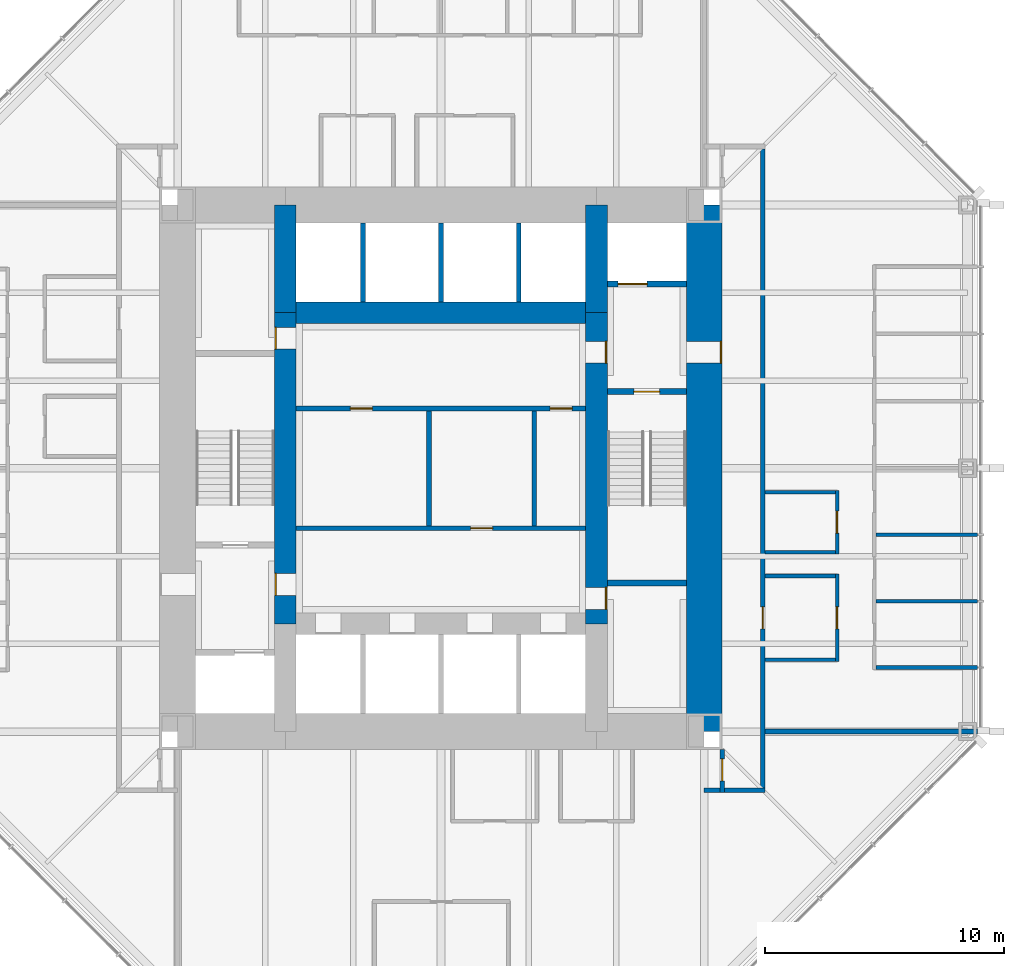
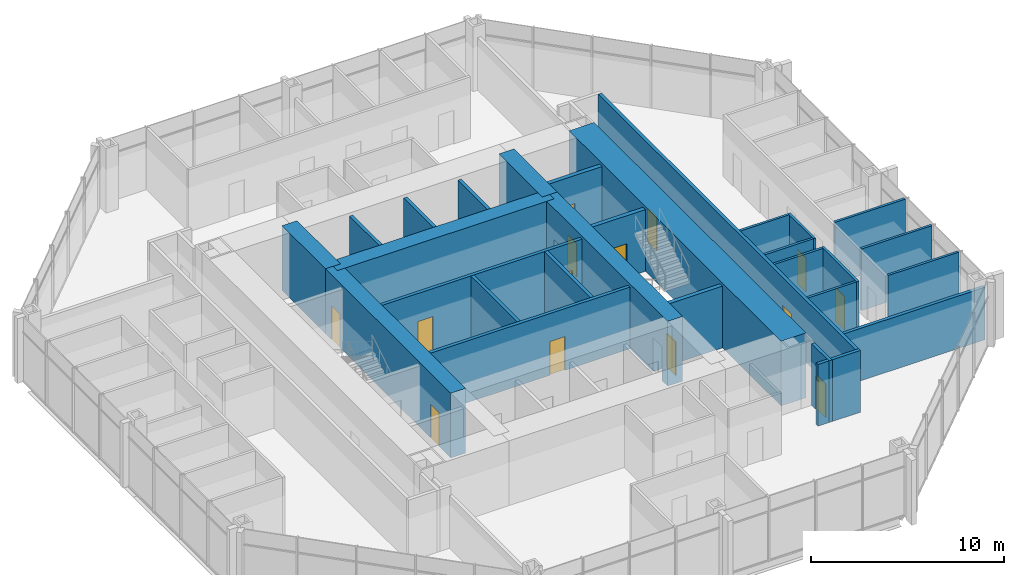
# One storey, part 10 of 14: 29 walls, 14 doors, 14 openings.
"""IFC4 building model written with IfcOpenShell, lengths in metres."""

from ifc_helpers import new_model, si_unit, direction, frame, frame_2d, origin, place, context, subcontext, project, spatial, rectangle, extrude, material, layer, layer_set, type_object, element, fill, save


model = new_model("IFC4")

# Units and contexts
model_context = context("Model", 3, precision=1e-05, world=origin(), true_north=direction((0.0, 1.0)))
body_context = subcontext(model_context, "Body", "Model", "MODEL_VIEW")
ifc_project = project(units=[si_unit("LENGTHUNIT", "METRE"), si_unit("AREAUNIT", "SQUARE_METRE"), si_unit("VOLUMEUNIT", "CUBIC_METRE"), si_unit("PLANEANGLEUNIT", "RADIAN"), si_unit("MASSUNIT", "GRAM", prefix="KILO")], contexts=[model_context])

# Site, building, storey
site_placement = place(None, origin())
site = spatial("IfcSite", under=ifc_project, at=site_placement, CompositionType="ELEMENT")
building_placement = place(site_placement, origin())
building = spatial("IfcBuilding", under=site, at=building_placement, Name="Trevanion Tower", CompositionType="ELEMENT")
storey_placement = place(building_placement, frame((0.0, 0.0, 104.89990234375)))
storey = spatial("IfcBuildingStorey", under=building, at=storey_placement, Name="L24", CompositionType="ELEMENT", Elevation=104.89990234375)

# Wall, opening, door
ifc_material_1 = material(Name="Concrete 10,000 psi", Category="concrete")
ifc_layer_1 = layer(ifc_material_1, 1.5)
ifc_layer_set_1 = layer_set([ifc_layer_1], Name="CW1 core wall 1500")
wall_type_1 = type_object("IfcWallType", Name="CW1 core wall 1500", PredefinedType="SHEAR", material=ifc_layer_set_1)
wall_1_placement = place(storey_placement, frame((11.0, -11.0, 0.0), z_axis=(0.0, 0.0, 1.0), x_axis=(0.0, 1.0, 0.0)))
wall_1 = element("IfcWall", 1, at=wall_1_placement, inside=storey, type_object=wall_type_1, Name="CW1 CE L24", PredefinedType="SHEAR", context=body_context, shape_type="SweptSolid", body=[
    extrude(rectangle(XDim=22.0, YDim=1.5, at=frame_2d((11.0, 0.0))), origin(), (0.0, 0.0, 1.0), 4.10009765625),
])
opening_1_placement = place(wall_1_placement, frame((15.392578125, 0.0, 0.0)))
opening_1 = element("IfcOpeningElement", 2, at=opening_1_placement, cuts=wall_1, Name="Opening 24-001", PredefinedType="OPENING", context=body_context, shape_type="SweptSolid", body=[
    extrude(rectangle(XDim=0.9150390625, YDim=2.134033203125, at=frame_2d((0.45751953125, 1.06689453125))), frame((0.0, 0.760009765625, 0.0), z_axis=(0.0, -1.0, 0.0), x_axis=(1.0, 0.0, 0.0)), (0.0, 0.0, 1.0), 1.52001953125),
])
ifc_material_2 = material(Name="Hollow metal, fire rated", Category="steel")
door_type_1 = type_object("IfcDoorType", Name="D3 fire lift lobby door", OperationType="SINGLE_SWING_RIGHT", PredefinedType="DOOR", material=ifc_material_2)
door_1_placement = place(opening_1_placement, origin())
door_1 = element("IfcDoor", 3, at=door_1_placement, inside=storey, type_object=door_type_1, Name="Door 24-001", OperationType="SINGLE_SWING_RIGHT", OverallHeight=2.134033203125, OverallWidth=0.9150390625, PredefinedType="DOOR", context=body_context, shape_type="SweptSolid", body=[
    extrude(rectangle(XDim=0.9150390625, YDim=2.134033203125, at=frame_2d((0.45751953125, 1.06689453125))), frame((0.0, -0.6748046875, 0.0), z_axis=(0.0, -1.0, 0.0), x_axis=(1.0, 0.0, 0.0)), (0.0, 0.0, 1.0), 0.050048828125),
])
fill(opening_1, door_1)

# Wall, openings, doors
ifc_material_3 = material(Name="Concrete 10,000 psi", Category="concrete")
ifc_layer_2 = layer(ifc_material_3, 0.89990234375)
ifc_layer_set_2 = layer_set([ifc_layer_2], Name="CW2 core wall 900")
wall_type_2 = type_object("IfcWallType", Name="CW2 core wall 900", PredefinedType="SHEAR", material=ifc_layer_set_2)
wall_2_placement = place(storey_placement, frame((6.5, -6.5, 0.0), z_axis=(0.0, 0.0, 1.0), x_axis=(0.0, 1.0, 0.0)))
wall_2 = element("IfcWall", 4, at=wall_2_placement, inside=storey, type_object=wall_type_2, Name="CW2 RE2 L24", PredefinedType="SHEAR", context=body_context, shape_type="SweptSolid", body=[
    extrude(rectangle(XDim=13.0, YDim=0.89990234375, at=frame_2d((6.5, 0.0))), origin(), (0.0, 0.0, 1.0), 4.10009765625),
])
opening_2_placement = place(wall_2_placement, frame((10.892578125, 0.0, 0.0)))
opening_2 = element("IfcOpeningElement", 5, at=opening_2_placement, cuts=wall_2, Name="Opening 24-003", PredefinedType="OPENING", context=body_context, shape_type="SweptSolid", body=[
    extrude(rectangle(XDim=0.9150390625, YDim=2.134033203125, at=frame_2d((0.45751953125, 1.06689453125))), frame((0.0, 0.4599609375, 0.0), z_axis=(0.0, -1.0, 0.0), x_axis=(1.0, 0.0, 0.0)), (0.0, 0.0, 1.0), 0.919921875),
])
opening_3_placement = place(wall_2_placement, frame((0.610107421875, 0.0, 0.0)))
opening_3 = element("IfcOpeningElement", 6, at=opening_3_placement, cuts=wall_2, Name="Opening 24-009", PredefinedType="OPENING", context=body_context, shape_type="SweptSolid", body=[
    extrude(rectangle(XDim=0.9150390625, YDim=2.134033203125, at=frame_2d((0.45751953125, 1.06689453125))), frame((0.0, 0.4599609375, 0.0), z_axis=(0.0, -1.0, 0.0), x_axis=(1.0, 0.0, 0.0)), (0.0, 0.0, 1.0), 0.919921875),
])
door_2_placement = place(opening_2_placement, origin())
door_2 = element("IfcDoor", 7, at=door_2_placement, inside=storey, type_object=door_type_1, Name="Door 24-003", OperationType="SINGLE_SWING_RIGHT", OverallHeight=2.134033203125, OverallWidth=0.9150390625, PredefinedType="DOOR", context=body_context, shape_type="SweptSolid", body=[
    extrude(rectangle(XDim=0.9150390625, YDim=2.134033203125, at=frame_2d((0.45751953125, 1.06689453125))), frame((0.0, -0.375, 0.0), z_axis=(0.0, -1.0, 0.0), x_axis=(1.0, 0.0, 0.0)), (0.0, 0.0, 1.0), 0.050048828125),
])
fill(opening_2, door_2)
ifc_material_4 = material(Name="Hollow metal, fire rated", Category="steel")
door_type_2 = type_object("IfcDoorType", Name="D5 service room door", OperationType="SINGLE_SWING_RIGHT", PredefinedType="DOOR", material=ifc_material_4)
door_3_placement = place(opening_3_placement, origin())
door_3 = element("IfcDoor", 8, at=door_3_placement, inside=storey, type_object=door_type_2, Name="Door 24-009", OperationType="SINGLE_SWING_RIGHT", OverallHeight=2.134033203125, OverallWidth=0.9150390625, PredefinedType="DOOR", context=body_context, shape_type="SweptSolid", body=[
    extrude(rectangle(XDim=0.9150390625, YDim=2.134033203125, at=frame_2d((0.45751953125, 1.06689453125))), frame((0.0, -0.375, 0.0), z_axis=(0.0, -1.0, 0.0), x_axis=(1.0, 0.0, 0.0)), (0.0, 0.0, 1.0), 0.050048828125),
])
fill(opening_3, door_3)

# Walls
for number, where, z_axis, x_axis, name in (
    (9, (6.5, 6.5, 0.0), (0.0, 0.0, 1.0), (0.0, 1.0, 0.0), "CW2 RE3 L24"),
    (10, (-6.5, 11.0, 0.0), (0.0, 0.0, 1.0), (0.0, -1.0, 0.0), "CW2 RW1 L24"),
):
    element("IfcWall", number, at=place(storey_placement, frame(where, z_axis=z_axis, x_axis=x_axis)), inside=storey, type_object=wall_type_2, Name=name, PredefinedType="SHEAR", context=body_context, shape_type="SweptSolid", body=[
        extrude(rectangle(XDim=4.5, YDim=0.89990234375, at=frame_2d((2.25, 0.0))), origin(), (0.0, 0.0, 1.0), 4.10009765625),
    ])

# Wall, openings, doors
wall_3_placement = place(storey_placement, frame((-6.5, 6.5, 0.0), z_axis=(0.0, 0.0, 1.0), x_axis=(0.0, -1.0, 0.0)))
wall_3 = element("IfcWall", 11, at=wall_3_placement, inside=storey, type_object=wall_type_2, Name="CW2 RW2 L24", PredefinedType="SHEAR", context=body_context, shape_type="SweptSolid", body=[
    extrude(rectangle(XDim=13.0, YDim=0.89990234375, at=frame_2d((6.5, 0.0))), origin(), (0.0, 0.0, 1.0), 4.10009765625),
])
opening_4_placement = place(wall_3_placement, frame((10.892578125, 0.0, 0.0)))
opening_4 = element("IfcOpeningElement", 12, at=opening_4_placement, cuts=wall_3, Name="Opening 24-004", PredefinedType="OPENING", context=body_context, shape_type="SweptSolid", body=[
    extrude(rectangle(XDim=0.9150390625, YDim=2.134033203125, at=frame_2d((0.45751953125, 1.06689453125))), frame((0.0, 0.4599609375, 0.0), z_axis=(0.0, -1.0, 0.0), x_axis=(1.0, 0.0, 0.0)), (0.0, 0.0, 1.0), 0.919921875),
])
opening_5_placement = place(wall_3_placement, frame((0.610107421875, 0.0, 0.0)))
opening_5 = element("IfcOpeningElement", 13, at=opening_5_placement, cuts=wall_3, Name="Opening 24-010", PredefinedType="OPENING", context=body_context, shape_type="SweptSolid", body=[
    extrude(rectangle(XDim=0.9150390625, YDim=2.134033203125, at=frame_2d((0.45751953125, 1.06689453125))), frame((0.0, 0.4599609375, 0.0), z_axis=(0.0, -1.0, 0.0), x_axis=(1.0, 0.0, 0.0)), (0.0, 0.0, 1.0), 0.919921875),
])
door_4_placement = place(opening_4_placement, origin())
door_4 = element("IfcDoor", 14, at=door_4_placement, inside=storey, type_object=door_type_1, Name="Door 24-004", OperationType="SINGLE_SWING_RIGHT", OverallHeight=2.134033203125, OverallWidth=0.9150390625, PredefinedType="DOOR", context=body_context, shape_type="SweptSolid", body=[
    extrude(rectangle(XDim=0.9150390625, YDim=2.134033203125, at=frame_2d((0.45751953125, 1.06689453125))), frame((0.0, -0.375, 0.0), z_axis=(0.0, -1.0, 0.0), x_axis=(1.0, 0.0, 0.0)), (0.0, 0.0, 1.0), 0.050048828125),
])
fill(opening_4, door_4)
door_5_placement = place(opening_5_placement, origin())
door_5 = element("IfcDoor", 15, at=door_5_placement, inside=storey, type_object=door_type_2, Name="Door 24-010", OperationType="SINGLE_SWING_RIGHT", OverallHeight=2.134033203125, OverallWidth=0.9150390625, PredefinedType="DOOR", context=body_context, shape_type="SweptSolid", body=[
    extrude(rectangle(XDim=0.9150390625, YDim=2.134033203125, at=frame_2d((0.45751953125, 1.06689453125))), frame((0.0, -0.375, 0.0), z_axis=(0.0, -1.0, 0.0), x_axis=(1.0, 0.0, 0.0)), (0.0, 0.0, 1.0), 0.050048828125),
])
fill(opening_5, door_5)

# Walls
wall_4_placement = place(storey_placement, frame((6.5, 6.5, 0.0), z_axis=(0.0, 0.0, 1.0), x_axis=(-1.0, 0.0, 0.0)))
element("IfcWall", 16, at=wall_4_placement, inside=storey, type_object=wall_type_2, Name="CW2 RN L24", PredefinedType="SHEAR", context=body_context, shape_type="SweptSolid", body=[
    extrude(rectangle(XDim=13.0, YDim=0.89990234375, at=frame_2d((6.5, 0.0))), origin(), (0.0, 0.0, 1.0), 4.10009765625),
])
ifc_material_5 = material(Name="Gypsum board on steel studs", Category="steel")
ifc_layer_3 = layer(ifc_material_5, 0.14990234375)
ifc_layer_set_3 = layer_set([ifc_layer_3], Name="PT1 partition 150")
wall_type_3 = type_object("IfcWallType", Name="PT1 partition 150", PredefinedType="PARTITIONING", material=ifc_layer_set_3)
for number, where, z_axis, x_axis, name in (
    (17, (18.175048828125, -8.322998046875, 0.0), (0.0, 0.0, 1.0), (1.0, 0.0, 0.0), "PT1 L24 FC0S0"),
    (18, (18.175048828125, -5.549072265625, 0.0), (0.0, 0.0, 1.0), (1.0, 0.0, 0.0), "PT1 L24 FC0S1"),
    (19, (18.175048828125, -2.77490234375, 0.0), (0.0, 0.0, 1.0), (1.0, 0.0, 0.0), "PT1 L24 FC0S2"),
):
    element("IfcWall", number, at=place(storey_placement, frame(where, z_axis=z_axis, x_axis=x_axis)), inside=storey, type_object=wall_type_3, Name=name, PredefinedType="PARTITIONING", context=body_context, shape_type="SweptSolid", body=[
        extrude(rectangle(XDim=4.239990234375, YDim=0.14990234375, at=frame_2d((2.1201171875, 0.0))), origin(), (0.0, 0.0, 1.0), 3.91015625),
    ])

# Wall, opening, door
wall_5_placement = place(storey_placement, frame((16.550048828125, -8.074951171875, 0.0), z_axis=(0.0, 0.0, 1.0), x_axis=(0.0, 1.0, 0.0)))
wall_5 = element("IfcWall", 20, at=wall_5_placement, inside=storey, type_object=wall_type_3, Name="PT1 L24 IN00F", PredefinedType="PARTITIONING", context=body_context, shape_type="SweptSolid", body=[
    extrude(rectangle(XDim=3.64990234375, YDim=0.14990234375, at=frame_2d((1.824951171875, 0.0))), origin(), (0.0, 0.0, 1.0), 3.91015625),
])
opening_6_placement = place(wall_5_placement, frame((1.367431640625, 0.0, 0.0)))
opening_6 = element("IfcOpeningElement", 21, at=opening_6_placement, cuts=wall_5, Name="Opening 24-040", PredefinedType="OPENING", context=body_context, shape_type="SweptSolid", body=[
    extrude(rectangle(XDim=0.9150390625, YDim=2.134033203125, at=frame_2d((0.45751953125, 1.06689453125))), frame((0.0, 0.0849609375, 0.0), z_axis=(0.0, -1.0, 0.0), x_axis=(1.0, 0.0, 0.0)), (0.0, 0.0, 1.0), 0.169921875),
])
ifc_material_6 = material(Name="Timber veneer, solid core", Category="wood")
door_type_3 = type_object("IfcDoorType", Name="D1 office and meeting room door", OperationType="SINGLE_SWING_LEFT", PredefinedType="DOOR", material=ifc_material_6)
door_6_placement = place(opening_6_placement, origin())
door_6 = element("IfcDoor", 22, at=door_6_placement, inside=storey, type_object=door_type_3, Name="Door 24-040", OperationType="SINGLE_SWING_LEFT", OverallHeight=2.134033203125, OverallWidth=0.9150390625, PredefinedType="DOOR", context=body_context, shape_type="SweptSolid", body=[
    extrude(rectangle(XDim=0.9150390625, YDim=2.134033203125, at=frame_2d((0.45751953125, 1.06689453125))), frame((0.0, 0.02490234375, 0.0), z_axis=(0.0, -1.0, 0.0), x_axis=(1.0, 0.0, 0.0)), (0.0, 0.0, 1.0), 0.050048828125),
])
fill(opening_6, door_6)

# Walls
for number, where, z_axis, x_axis, name in (
    (23, (16.47509765625, -8.0, 0.0), (0.0, 0.0, 1.0), (-1.0, 0.0, 0.0), "PT1 L24 IN00S0"),
    (24, (16.47509765625, -4.5, 0.0), (0.0, 0.0, 1.0), (-1.0, 0.0, 0.0), "PT1 L24 IN00S1"),
):
    element("IfcWall", number, at=place(storey_placement, frame(where, z_axis=z_axis, x_axis=x_axis)), inside=storey, type_object=wall_type_3, Name=name, PredefinedType="PARTITIONING", context=body_context, shape_type="SweptSolid", body=[
        extrude(rectangle(XDim=2.925048828125, YDim=0.14990234375, at=frame_2d((1.46240234375, 0.0))), origin(), (0.0, 0.0, 1.0), 3.91015625),
    ])

# Wall, opening, door
wall_6_placement = place(storey_placement, frame((16.550048828125, -3.574951171875, 0.0), z_axis=(0.0, 0.0, 1.0), x_axis=(0.0, 1.0, 0.0)))
wall_6 = element("IfcWall", 25, at=wall_6_placement, inside=storey, type_object=wall_type_3, Name="PT1 L24 IN01F", PredefinedType="PARTITIONING", context=body_context, shape_type="SweptSolid", body=[
    extrude(rectangle(XDim=2.64990234375, YDim=0.14990234375, at=frame_2d((1.324951171875, 0.0))), origin(), (0.0, 0.0, 1.0), 3.91015625),
])
opening_7_placement = place(wall_6_placement, frame((0.867431640625, 0.0, 0.0)))
opening_7 = element("IfcOpeningElement", 26, at=opening_7_placement, cuts=wall_6, Name="Opening 24-042", PredefinedType="OPENING", context=body_context, shape_type="SweptSolid", body=[
    extrude(rectangle(XDim=0.9150390625, YDim=2.134033203125, at=frame_2d((0.45751953125, 1.06689453125))), frame((0.0, 0.0849609375, 0.0), z_axis=(0.0, -1.0, 0.0), x_axis=(1.0, 0.0, 0.0)), (0.0, 0.0, 1.0), 0.169921875),
])
door_7_placement = place(opening_7_placement, origin())
door_7 = element("IfcDoor", 27, at=door_7_placement, inside=storey, type_object=door_type_3, Name="Door 24-042", OperationType="SINGLE_SWING_LEFT", OverallHeight=2.134033203125, OverallWidth=0.9150390625, PredefinedType="DOOR", context=body_context, shape_type="SweptSolid", body=[
    extrude(rectangle(XDim=0.9150390625, YDim=2.134033203125, at=frame_2d((0.45751953125, 1.06689453125))), frame((0.0, 0.02490234375, 0.0), z_axis=(0.0, -1.0, 0.0), x_axis=(1.0, 0.0, 0.0)), (0.0, 0.0, 1.0), 0.050048828125),
])
fill(opening_7, door_7)

# Walls
for number, where, z_axis, x_axis, name in (
    (28, (16.47509765625, -3.5, 0.0), (0.0, 0.0, 1.0), (-1.0, 0.0, 0.0), "PT1 L24 IN01S0"),
    (29, (16.47509765625, -1.0, 0.0), (0.0, 0.0, 1.0), (-1.0, 0.0, 0.0), "PT1 L24 IN01S1"),
):
    element("IfcWall", number, at=place(storey_placement, frame(where, z_axis=z_axis, x_axis=x_axis)), inside=storey, type_object=wall_type_3, Name=name, PredefinedType="PARTITIONING", context=body_context, shape_type="SweptSolid", body=[
        extrude(rectangle(XDim=2.925048828125, YDim=0.14990234375, at=frame_2d((1.46240234375, 0.0))), origin(), (0.0, 0.0, 1.0), 3.91015625),
    ])
ifc_material_7 = material(Name="Concrete masonry, grouted", Category="masonry")
ifc_layer_4 = layer(ifc_material_7, 0.199951171875)
ifc_layer_set_4 = layer_set([ifc_layer_4], Name="PT2 partition 200")
wall_type_4 = type_object("IfcWallType", Name="PT2 partition 200", PredefinedType="PARTITIONING", material=ifc_layer_set_4)
for number, where, z_axis, x_axis, name in (
    (30, (-0.5, -2.39990234375, 0.0), (0.0, 0.0, 1.0), (0.0, 1.0, 0.0), "PT2 L24 TP1"),
    (31, (3.89990234375, -2.39990234375, 0.0), (0.0, 0.0, 1.0), (0.0, 1.0, 0.0), "PT2 L24 TP2"),
):
    element("IfcWall", number, at=place(storey_placement, frame(where, z_axis=z_axis, x_axis=x_axis)), inside=storey, type_object=wall_type_4, Name=name, PredefinedType="PARTITIONING", context=body_context, shape_type="SweptSolid", body=[
        extrude(rectangle(XDim=4.7998046875, YDim=0.199951171875, at=frame_2d((2.39990234375, 0.0))), origin(), (0.0, 0.0, 1.0), 3.91015625),
    ])

# Wall, openings, doors
ifc_material_8 = material(Name="Concrete masonry, grouted", Category="masonry")
ifc_layer_5 = layer(ifc_material_8, 0.199951171875)
ifc_layer_set_5 = layer_set([ifc_layer_5], Name="PT2 partition 200 1 HR")
wall_type_5 = type_object("IfcWallType", Name="PT2 partition 200 1 HR", PredefinedType="PARTITIONING", material=ifc_layer_set_5)
wall_7_placement = place(storey_placement, frame((-6.050048828125, 2.5, 0.0), z_axis=(0.0, 0.0, 1.0), x_axis=(1.0, 0.0, 0.0)))
wall_7 = element("IfcWall", 32, at=wall_7_placement, inside=storey, type_object=wall_type_5, Name="PT2 L24 CP1", PredefinedType="PARTITIONING", context=body_context, shape_type="SweptSolid", body=[
    extrude(rectangle(XDim=12.10009765625, YDim=0.199951171875, at=frame_2d((6.050048828125, 0.0))), origin(), (0.0, 0.0, 1.0), 3.91015625),
])
opening_8_placement = place(wall_7_placement, frame((2.267578125, 0.0, 0.0)))
opening_8 = element("IfcOpeningElement", 33, at=opening_8_placement, cuts=wall_7, Name="Opening 24-015", PredefinedType="OPENING", context=body_context, shape_type="SweptSolid", body=[
    extrude(rectangle(XDim=0.9150390625, YDim=2.134033203125, at=frame_2d((0.45751953125, 1.06689453125))), frame((0.0, 0.10986328125, 0.0), z_axis=(0.0, -1.0, 0.0), x_axis=(1.0, 0.0, 0.0)), (0.0, 0.0, 1.0), 0.219970703125),
])
opening_9_placement = place(wall_7_placement, frame((10.617431640625, 0.0, 0.0)))
opening_9 = element("IfcOpeningElement", 34, at=opening_9_placement, cuts=wall_7, Name="Opening 24-017", PredefinedType="OPENING", context=body_context, shape_type="SweptSolid", body=[
    extrude(rectangle(XDim=0.9150390625, YDim=2.134033203125, at=frame_2d((0.45751953125, 1.06689453125))), frame((0.0, 0.10986328125, 0.0), z_axis=(0.0, -1.0, 0.0), x_axis=(1.0, 0.0, 0.0)), (0.0, 0.0, 1.0), 0.219970703125),
])
ifc_material_9 = material(Name="Plastic laminate on fire-rated core", Category="wood")
door_type_4 = type_object("IfcDoorType", Name="D12 toilet door in a one hour wall", OperationType="SINGLE_SWING_LEFT", PredefinedType="DOOR", material=ifc_material_9)
door_8_placement = place(opening_8_placement, origin())
door_8 = element("IfcDoor", 35, at=door_8_placement, inside=storey, type_object=door_type_4, Name="Door 24-015", OperationType="SINGLE_SWING_LEFT", OverallHeight=2.134033203125, OverallWidth=0.9150390625, PredefinedType="DOOR", context=body_context, shape_type="SweptSolid", body=[
    extrude(rectangle(XDim=0.9150390625, YDim=2.134033203125, at=frame_2d((0.45751953125, 1.06689453125))), frame((0.0, 0.02490234375, 0.0), z_axis=(0.0, -1.0, 0.0), x_axis=(1.0, 0.0, 0.0)), (0.0, 0.0, 1.0), 0.050048828125),
])
fill(opening_8, door_8)
door_9_placement = place(opening_9_placement, origin())
door_9 = element("IfcDoor", 36, at=door_9_placement, inside=storey, type_object=door_type_4, Name="Door 24-017", OperationType="SINGLE_SWING_LEFT", OverallHeight=2.134033203125, OverallWidth=0.9150390625, PredefinedType="DOOR", context=body_context, shape_type="SweptSolid", body=[
    extrude(rectangle(XDim=0.9150390625, YDim=2.134033203125, at=frame_2d((0.45751953125, 1.06689453125))), frame((0.0, 0.02490234375, 0.0), z_axis=(0.0, -1.0, 0.0), x_axis=(1.0, 0.0, 0.0)), (0.0, 0.0, 1.0), 0.050048828125),
])
fill(opening_9, door_9)

# Wall, opening, door
wall_8_placement = place(storey_placement, frame((6.050048828125, -2.5, 0.0), z_axis=(0.0, 0.0, 1.0), x_axis=(-1.0, 0.0, 0.0)))
wall_8 = element("IfcWall", 37, at=wall_8_placement, inside=storey, type_object=wall_type_5, Name="PT2 L24 CP2", PredefinedType="PARTITIONING", context=body_context, shape_type="SweptSolid", body=[
    extrude(rectangle(XDim=12.10009765625, YDim=0.199951171875, at=frame_2d((6.050048828125, 0.0))), origin(), (0.0, 0.0, 1.0), 3.91015625),
])
opening_10_placement = place(wall_8_placement, frame((3.892578125, 0.0, 0.0)))
opening_10 = element("IfcOpeningElement", 38, at=opening_10_placement, cuts=wall_8, Name="Opening 24-016", PredefinedType="OPENING", context=body_context, shape_type="SweptSolid", body=[
    extrude(rectangle(XDim=0.9150390625, YDim=2.134033203125, at=frame_2d((0.45751953125, 1.06689453125))), frame((0.0, 0.10986328125, 0.0), z_axis=(0.0, -1.0, 0.0), x_axis=(1.0, 0.0, 0.0)), (0.0, 0.0, 1.0), 0.219970703125),
])
door_10_placement = place(opening_10_placement, origin())
door_10 = element("IfcDoor", 39, at=door_10_placement, inside=storey, type_object=door_type_4, Name="Door 24-016", OperationType="SINGLE_SWING_LEFT", OverallHeight=2.134033203125, OverallWidth=0.9150390625, PredefinedType="DOOR", context=body_context, shape_type="SweptSolid", body=[
    extrude(rectangle(XDim=0.9150390625, YDim=2.134033203125, at=frame_2d((0.45751953125, 1.06689453125))), frame((0.0, 0.02490234375, 0.0), z_axis=(0.0, -1.0, 0.0), x_axis=(1.0, 0.0, 0.0)), (0.0, 0.0, 1.0), 0.050048828125),
])
fill(opening_10, door_10)

wall_9_placement = place(storey_placement, frame((13.449951171875, -13.550048828125, 0.0), z_axis=(0.0, 0.0, 1.0), x_axis=(0.0, 1.0, 0.0)))
wall_9 = element("IfcWall", 40, at=wall_9_placement, inside=storey, type_object=wall_type_5, Name="PT2 L24 OC0", PredefinedType="PARTITIONING", context=body_context, shape_type="SweptSolid", body=[
    extrude(rectangle(XDim=26.900146484375, YDim=0.199951171875, at=frame_2d((13.4501953125, 0.0))), origin(), (0.0, 0.0, 1.0), 3.91015625),
])
opening_11_placement = place(wall_9_placement, frame((6.842529296875, 0.0, 0.0)))
opening_11 = element("IfcOpeningElement", 41, at=opening_11_placement, cuts=wall_9, Name="Opening 24-041", PredefinedType="OPENING", context=body_context, shape_type="SweptSolid", body=[
    extrude(rectangle(XDim=0.9150390625, YDim=2.134033203125, at=frame_2d((0.45751953125, 1.06689453125))), frame((0.0, 0.10986328125, 0.0), z_axis=(0.0, -1.0, 0.0), x_axis=(1.0, 0.0, 0.0)), (0.0, 0.0, 1.0), 0.219970703125),
])
ifc_material_10 = material(Name="Timber veneer, fire rated", Category="wood")
door_type_5 = type_object("IfcDoorType", Name="D10 office door in a one hour wall", OperationType="SINGLE_SWING_LEFT", PredefinedType="DOOR", material=ifc_material_10)
door_11_placement = place(opening_11_placement, origin())
door_11 = element("IfcDoor", 42, at=door_11_placement, inside=storey, type_object=door_type_5, Name="Door 24-041", OperationType="SINGLE_SWING_LEFT", OverallHeight=2.134033203125, OverallWidth=0.9150390625, PredefinedType="DOOR", context=body_context, shape_type="SweptSolid", body=[
    extrude(rectangle(XDim=0.9150390625, YDim=2.134033203125, at=frame_2d((0.45751953125, 1.06689453125))), frame((0.0, 0.02490234375, 0.0), z_axis=(0.0, -1.0, 0.0), x_axis=(1.0, 0.0, 0.0)), (0.0, 0.0, 1.0), 0.050048828125),
])
fill(opening_11, door_11)

wall_10_placement = place(storey_placement, frame((11.75, -11.75, 0.0), z_axis=(0.0, 0.0, 1.0), x_axis=(0.0, -1.0, 0.0)))
wall_10 = element("IfcWall", 43, at=wall_10_placement, inside=storey, type_object=wall_type_5, Name="PT2 L24 OUSE1", PredefinedType="PARTITIONING", context=body_context, shape_type="SweptSolid", body=[
    extrude(rectangle(XDim=1.800048828125, YDim=0.199951171875, at=frame_2d((0.89990234375, 0.0))), origin(), (0.0, 0.0, 1.0), 3.91015625),
])
opening_12_placement = place(wall_10_placement, frame((0.392578125, 0.0, 0.0)))
opening_12 = element("IfcOpeningElement", 44, at=opening_12_placement, cuts=wall_10, Name="Opening 24-020", PredefinedType="OPENING", context=body_context, shape_type="SweptSolid", body=[
    extrude(rectangle(XDim=0.9150390625, YDim=2.134033203125, at=frame_2d((0.45751953125, 1.06689453125))), frame((0.0, 0.10986328125, 0.0), z_axis=(0.0, -1.0, 0.0), x_axis=(1.0, 0.0, 0.0)), (0.0, 0.0, 1.0), 0.219970703125),
])
door_12_placement = place(opening_12_placement, origin())
door_12 = element("IfcDoor", 45, at=door_12_placement, inside=storey, type_object=door_type_5, Name="Door 24-020", OperationType="SINGLE_SWING_LEFT", OverallHeight=2.134033203125, OverallWidth=0.9150390625, PredefinedType="DOOR", context=body_context, shape_type="SweptSolid", body=[
    extrude(rectangle(XDim=0.9150390625, YDim=2.134033203125, at=frame_2d((0.45751953125, 1.06689453125))), frame((0.0, 0.02490234375, 0.0), z_axis=(0.0, -1.0, 0.0), x_axis=(1.0, 0.0, 0.0)), (0.0, 0.0, 1.0), 0.050048828125),
])
fill(opening_12, door_12)

# Walls
wall_11_placement = place(storey_placement, frame((11.0, -13.449951171875, 0.0), z_axis=(0.0, 0.0, 1.0), x_axis=(1.0, 0.0, 0.0)))
element("IfcWall", 46, at=wall_11_placement, inside=storey, type_object=wall_type_5, Name="PT2 L24 OUSE2", PredefinedType="PARTITIONING", context=body_context, shape_type="SweptSolid", body=[
    extrude(rectangle(XDim=2.550048828125, YDim=0.199951171875, at=frame_2d((1.27490234375, 0.0))), origin(), (0.0, 0.0, 1.0), 3.91015625),
])
wall_12_placement = place(storey_placement, frame((13.550048828125, -11.0, 0.0), z_axis=(0.0, 0.0, 1.0), x_axis=(1.0, 0.0, 0.0)))
element("IfcWall", 47, at=wall_12_placement, inside=storey, type_object=wall_type_5, Name="PT2 L24 DM3", PredefinedType="PARTITIONING", context=body_context, shape_type="SweptSolid", body=[
    extrude(rectangle(XDim=8.864990234375, YDim=0.199951171875, at=frame_2d((4.4326171875, 0.0))), origin(), (0.0, 0.0, 1.0), 3.325927734375),
])
ifc_material_11 = material(Name="Concrete masonry, grouted", Category="masonry")
ifc_layer_6 = layer(ifc_material_11, 0.199951171875)
ifc_layer_set_6 = layer_set([ifc_layer_6], Name="PT2 partition 200 2 HR")
wall_type_6 = type_object("IfcWallType", Name="PT2 partition 200 2 HR", PredefinedType="PARTITIONING", material=ifc_layer_set_6)
for number, where, z_axis, x_axis, name in (
    (48, (-3.25, 6.949951171875, 0.0), (0.0, 0.0, 1.0), (0.0, 1.0, 0.0), "PT2 L24 NS0"),
    (49, (0.0, 6.949951171875, 0.0), (0.0, 0.0, 1.0), (0.0, 1.0, 0.0), "PT2 L24 NS1"),
    (50, (3.25, 6.949951171875, 0.0), (0.0, 0.0, 1.0), (0.0, 1.0, 0.0), "PT2 L24 NS2"),
):
    element("IfcWall", number, at=place(storey_placement, frame(where, z_axis=z_axis, x_axis=x_axis)), inside=storey, type_object=wall_type_6, Name=name, PredefinedType="PARTITIONING", context=body_context, shape_type="SweptSolid", body=[
        extrude(rectangle(XDim=3.300048828125, YDim=0.199951171875, at=frame_2d((1.64990234375, 0.0))), origin(), (0.0, 0.0, 1.0), 3.91015625),
    ])

# Wall, opening, door
ifc_material_12 = material(Name="Concrete masonry, grouted, two-hour", Category="masonry")
ifc_layer_7 = layer(ifc_material_12, 0.25)
ifc_layer_set_7 = layer_set([ifc_layer_7], Name="PT3 partition 250 2 HR")
wall_type_7 = type_object("IfcWallType", Name="PT3 partition 250 2 HR", PredefinedType="PARTITIONING", material=ifc_layer_set_7)
wall_13_placement = place(storey_placement, frame((6.949951171875, 7.699951171875, 0.0), z_axis=(0.0, 0.0, 1.0), x_axis=(1.0, 0.0, 0.0)))
wall_13 = element("IfcWall", 51, at=wall_13_placement, inside=storey, type_object=wall_type_7, Name="PT3 L24 EP3", PredefinedType="PARTITIONING", context=body_context, shape_type="SweptSolid", body=[
    extrude(rectangle(XDim=3.300048828125, YDim=0.25, at=frame_2d((1.64990234375, 0.0))), origin(), (0.0, 0.0, 1.0), 3.91015625),
])
opening_13_placement = place(wall_13_placement, frame((0.449951171875, 0.0, 0.0)))
opening_13 = element("IfcOpeningElement", 52, at=opening_13_placement, cuts=wall_13, Name="Opening 24-007", PredefinedType="OPENING", context=body_context, shape_type="SweptSolid", body=[
    extrude(rectangle(XDim=1.218994140625, YDim=2.134033203125, at=frame_2d((0.609375, 1.06689453125))), frame((0.0, 0.135009765625, 0.0), z_axis=(0.0, -1.0, 0.0), x_axis=(1.0, 0.0, 0.0)), (0.0, 0.0, 1.0), 0.27001953125),
])
ifc_material_13 = material(Name="Stainless steel, fire rated", Category="steel")
door_type_6 = type_object("IfcDoorType", Name="LD2 fire service lift landing door", OperationType="SLIDING_TO_LEFT", PredefinedType="DOOR", material=ifc_material_13)
door_13_placement = place(opening_13_placement, origin())
door_13 = element("IfcDoor", 53, at=door_13_placement, inside=storey, type_object=door_type_6, Name="Door 24-007", OperationType="SLIDING_TO_LEFT", OverallHeight=2.134033203125, OverallWidth=1.218994140625, PredefinedType="DOOR", context=body_context, shape_type="SweptSolid", body=[
    extrude(rectangle(XDim=1.218994140625, YDim=2.134033203125, at=frame_2d((0.609375, 1.06689453125))), frame((0.0, 0.02490234375, 0.0), z_axis=(0.0, -1.0, 0.0), x_axis=(1.0, 0.0, 0.0)), (0.0, 0.0, 1.0), 0.050048828125),
])
fill(opening_13, door_13)

# Wall
ifc_material_14 = material(Name="Reinforced masonry, fully grouted", Category="masonry")
ifc_layer_8 = layer(ifc_material_14, 0.25)
ifc_layer_set_8 = layer_set([ifc_layer_8], Name="SW1 stair shaft wall 250")
wall_type_8 = type_object("IfcWallType", Name="SW1 stair shaft wall 250", PredefinedType="SOLIDWALL", material=ifc_layer_set_8)
wall_14_placement = place(storey_placement, frame((6.949951171875, -4.800048828125, 0.0), z_axis=(0.0, 0.0, 1.0), x_axis=(1.0, 0.0, 0.0)))
element("IfcWall", 54, at=wall_14_placement, inside=storey, type_object=wall_type_8, Name="SW1 L24 EP1", PredefinedType="SOLIDWALL", context=body_context, shape_type="SweptSolid", body=[
    extrude(rectangle(XDim=3.300048828125, YDim=0.25, at=frame_2d((1.64990234375, 0.0))), origin(), (0.0, 0.0, 1.0), 3.91015625),
])

# Wall, opening, door
wall_15_placement = place(storey_placement, frame((6.949951171875, 3.199951171875, 0.0), z_axis=(0.0, 0.0, 1.0), x_axis=(1.0, 0.0, 0.0)))
wall_15 = element("IfcWall", 55, at=wall_15_placement, inside=storey, type_object=wall_type_8, Name="SW1 L24 EP2", PredefinedType="SOLIDWALL", context=body_context, shape_type="SweptSolid", body=[
    extrude(rectangle(XDim=3.300048828125, YDim=0.25, at=frame_2d((1.64990234375, 0.0))), origin(), (0.0, 0.0, 1.0), 3.91015625),
])
opening_14_placement = place(wall_15_placement, frame((1.116455078125, 0.0, 0.0)))
opening_14 = element("IfcOpeningElement", 56, at=opening_14_placement, cuts=wall_15, Name="Opening 24-005", PredefinedType="OPENING", context=body_context, shape_type="SweptSolid", body=[
    extrude(rectangle(XDim=1.06689453125, YDim=2.134033203125, at=frame_2d((0.533447265625, 1.06689453125))), frame((0.0, 0.135009765625, 0.0), z_axis=(0.0, -1.0, 0.0), x_axis=(1.0, 0.0, 0.0)), (0.0, 0.0, 1.0), 0.27001953125),
])
ifc_material_15 = material(Name="Hollow metal, fire rated", Category="steel")
door_type_7 = type_object("IfcDoorType", Name="D2 exit stair door", OperationType="SINGLE_SWING_LEFT", PredefinedType="DOOR", material=ifc_material_15)
door_14_placement = place(opening_14_placement, origin())
door_14 = element("IfcDoor", 57, at=door_14_placement, inside=storey, type_object=door_type_7, Name="Door 24-005", OperationType="SINGLE_SWING_LEFT", OverallHeight=2.134033203125, OverallWidth=1.06689453125, PredefinedType="DOOR", context=body_context, shape_type="SweptSolid", body=[
    extrude(rectangle(XDim=1.06689453125, YDim=2.134033203125, at=frame_2d((0.533447265625, 1.06689453125))), frame((0.0, 0.02490234375, 0.0), z_axis=(0.0, -1.0, 0.0), x_axis=(1.0, 0.0, 0.0)), (0.0, 0.0, 1.0), 0.050048828125),
])
fill(opening_14, door_14)

save(model, "model.ifc")
